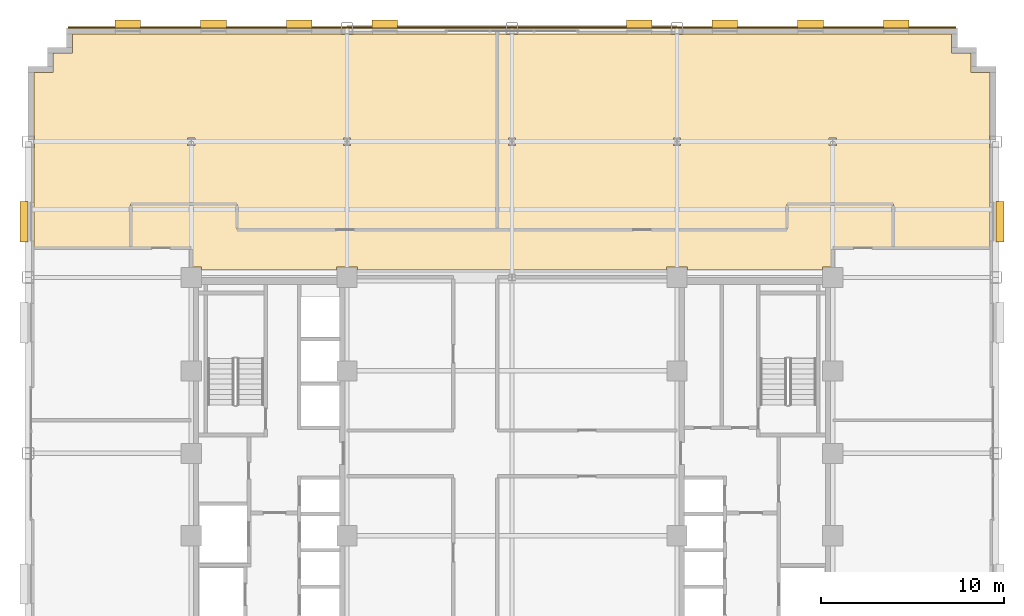
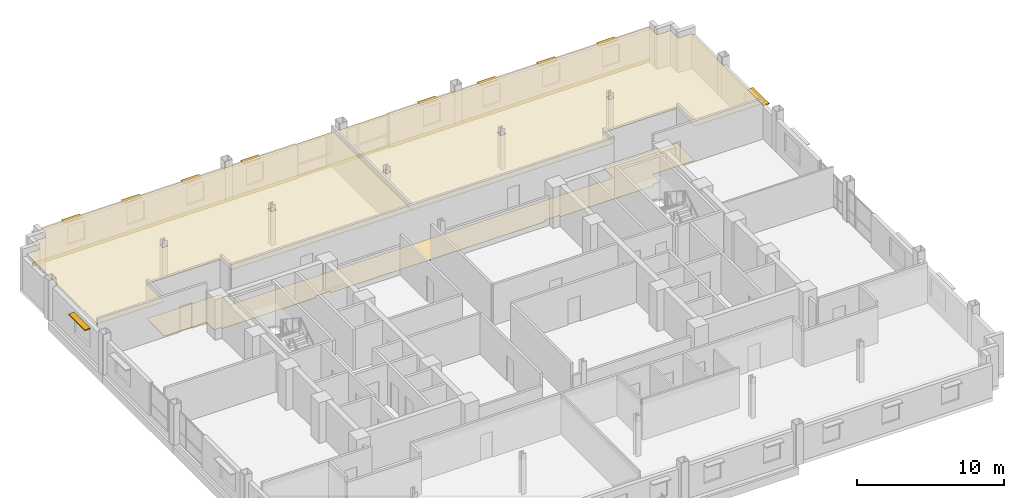
# One storey, part 17 of 17: 10 shading devices, 4 coverings.
"""IFC4 building model written with IfcOpenShell, lengths in metres."""

from ifc_helpers import new_model, si_unit, direction, frame, origin, origin_2d, place, context, subcontext, project, spatial, polyline, rectangle, outline, extrude, source, transform, mapped, material, layer, layer_set, type_object, type_shapes, element, save


model = new_model("IFC4")

# Units and contexts
model_context = context("Model", 3, precision=1e-05, world=origin(), true_north=direction((0.0, 1.0)))
body_context = subcontext(model_context, "Body", "Model", "MODEL_VIEW")
ifc_project = project(units=[si_unit("LENGTHUNIT", "METRE"), si_unit("AREAUNIT", "SQUARE_METRE"), si_unit("VOLUMEUNIT", "CUBIC_METRE"), si_unit("PLANEANGLEUNIT", "RADIAN"), si_unit("MASSUNIT", "GRAM", prefix="KILO")], contexts=[model_context])

# Site, building, storey
site_placement = place(None, origin())
site = spatial("IfcSite", under=ifc_project, at=site_placement, CompositionType="ELEMENT")
building_placement = place(site_placement, origin())
building = spatial("IfcBuilding", under=site, at=building_placement, Name="Nuvemarco Arch Tower", CompositionType="ELEMENT")
storey_placement = place(building_placement, frame((0.0, 0.0, 120.199951171875)))
storey = spatial("IfcBuildingStorey", under=building, at=storey_placement, Name="L31", CompositionType="ELEMENT", Elevation=120.199951171875)

# Coverings
ifc_material_1 = material(Name="Mineral acoustic ceiling tile")
ifc_layer_1 = layer(ifc_material_1, 0.0400390625, Name="COV-ACOUSTIC-CLG")
ifc_layer_set_1 = layer_set([ifc_layer_1], Name="Mineral acoustic ceiling tile")
covering_type_1 = type_object("IfcCoveringType", Name="COV-ACOUSTIC-CLG", PredefinedType="CEILING", material=ifc_layer_set_1)
covering_1_placement = place(storey_placement, frame((0.0, 0.0, 2.85009765625)))
element("IfcCovering", 1, at=covering_1_placement, inside=storey, type_object=covering_type_1, Name="L31 suspended acoustic ceiling 1", PredefinedType="CEILING", context=body_context, shape_type="SweptSolid", body=[
    extrude(outline(polyline([(26.080078125, 20.780029296875), (26.080078125, 17.340087890625), (26.06005859375, 17.340087890625), (26.06005859375, 16.659912109375), (26.080078125, 16.659912109375), (26.080078125, 11.199951171875), (20.800048828125, 11.199951171875), (20.800048828125, 13.60009765625), (15.0, 13.60009765625), (15.0, 12.199951171875), (-0.800048828125, 12.199951171875), (-0.800048828125, 22.8798828125), (-0.340087890625, 22.8798828125), (-0.340087890625, 22.860107421875), (0.340087890625, 22.860107421875), (0.340087890625, 22.8798828125), (8.659912109375, 22.8798828125), (8.659912109375, 22.860107421875), (9.340087890625, 22.860107421875), (9.340087890625, 22.8798828125), (23.97998046875, 22.8798828125), (23.97998046875, 21.830078125), (25.030029296875, 21.830078125), (25.030029296875, 20.780029296875), (26.080078125, 20.780029296875)]), holes=[polyline([(0.195068359375, 16.804931640625), (0.195068359375, 17.195068359375), (-0.195068359375, 17.195068359375), (-0.195068359375, 16.804931640625), (0.195068359375, 16.804931640625)]), polyline([(9.195068359375, 17.195068359375), (8.804931640625, 17.195068359375), (8.804931640625, 16.804931640625), (9.195068359375, 16.804931640625), (9.195068359375, 17.195068359375)]), polyline([(17.695068359375, 16.804931640625), (17.695068359375, 17.195068359375), (17.304931640625, 17.195068359375), (17.304931640625, 16.804931640625), (17.695068359375, 16.804931640625)])]), origin(), (0.0, 0.0, 1.0), 0.0400390625),
])
covering_2_placement = place(storey_placement, frame((0.0, 0.0, 2.85009765625)))
element("IfcCovering", 2, at=covering_2_placement, inside=storey, type_object=covering_type_1, Name="L31 suspended acoustic ceiling 3", PredefinedType="CEILING", context=body_context, shape_type="SweptSolid", body=[
    extrude(outline(polyline([(-20.800048828125, 11.199951171875), (-26.080078125, 11.199951171875), (-26.080078125, 16.659912109375), (-26.06005859375, 16.659912109375), (-26.06005859375, 17.340087890625), (-26.080078125, 17.340087890625), (-26.080078125, 20.780029296875), (-25.030029296875, 20.780029296875), (-25.030029296875, 21.830078125), (-23.97998046875, 21.830078125), (-23.97998046875, 22.8798828125), (-9.340087890625, 22.8798828125), (-9.340087890625, 22.860107421875), (-8.659912109375, 22.860107421875), (-8.659912109375, 22.8798828125), (-0.800048828125, 22.8798828125), (-0.800048828125, 12.199951171875), (-3.199951171875, 12.199951171875), (-15.0, 12.199951171875), (-15.0, 13.60009765625), (-20.800048828125, 13.60009765625), (-20.800048828125, 11.199951171875)]), holes=[polyline([(-17.304931640625, 16.804931640625), (-17.304931640625, 17.195068359375), (-17.695068359375, 17.195068359375), (-17.695068359375, 16.804931640625), (-17.304931640625, 16.804931640625)]), polyline([(-8.804931640625, 16.804931640625), (-8.804931640625, 17.195068359375), (-9.195068359375, 17.195068359375), (-9.195068359375, 16.804931640625), (-8.804931640625, 16.804931640625)])]), origin(), (0.0, 0.0, 1.0), 0.0400390625),
])
ifc_material_2 = material(Name="Polished granite terrazzostone flooring", Category="masonry")
ifc_layer_2 = layer(ifc_material_2, 0.02001953125, Name="COV-LOBBY-FLR")
ifc_layer_set_2 = layer_set([ifc_layer_2], Name="Polished granite terrazzostone flooring")
covering_type_2 = type_object("IfcCoveringType", Name="COV-LOBBY-FLR", PredefinedType="FLOORING", material=ifc_layer_set_2)
covering_3_placement = place(storey_placement, origin())
element("IfcCovering", 3, at=covering_3_placement, inside=storey, type_object=covering_type_2, Name="L31 polished terrazzo lobby flooring", PredefinedType="FLOORING", context=body_context, shape_type="SweptSolid", body=[
    extrude(outline(polyline([(-8.43505859375, 10.1650390625), (-9.56494140625, 10.1650390625), (-9.56494140625, 10.0), (-16.93505859375, 10.0), (-16.93505859375, 10.1650390625), (-17.5, 10.1650390625), (-17.5, 11.199951171875), (-20.800048828125, 11.199951171875), (-20.800048828125, 13.60009765625), (-15.0, 13.60009765625), (-15.0, 12.199951171875), (-3.199951171875, 12.199951171875), (-0.800048828125, 12.199951171875), (15.0, 12.199951171875), (15.0, 13.60009765625), (20.800048828125, 13.60009765625), (20.800048828125, 11.199951171875), (17.5, 11.199951171875), (17.5, 10.1650390625), (16.93505859375, 10.1650390625), (16.93505859375, 10.0), (9.56494140625, 10.0), (9.56494140625, 10.1650390625), (8.43505859375, 10.1650390625), (8.43505859375, 10.0), (-8.43505859375, 10.0), (-8.43505859375, 10.1650390625)])), origin(), (0.0, 0.0, 1.0), 0.02001953125),
])

# Shading devices
ifc_material_3 = material(Name="Anodised aluminium 6063-T6", Category="aluminium")
shading_device_type_1 = type_object("IfcShadingDeviceType", Name="SHD-BRISE-SOLEIL", PredefinedType="USERDEFINED", material=ifc_material_3)
shared_shape_1 = source(origin(), body_context, "Body", "SweptSolid", [
    extrude(rectangle(XDim=2.199951171875, YDim=0.449951171875, at=origin_2d()), origin(), (0.0, 0.0, 1.0), 0.080078125),
])
type_shapes(shading_device_type_1, [shared_shape_1])
for number, where, z_axis, x_axis, name in (
    (4, (26.614990234375, 12.64208984375, 2.364990234375), (0.0, 0.0, 1.0), (0.0, 1.0, 0.0), "L31 horizontal brise-soleil sunshade"),
    (5, (-26.614990234375, 12.64208984375, 2.364990234375), (0.0, 0.0, 1.0), (0.0, 1.0, 0.0), "L31 horizontal brise-soleil sunshade"),
):
    element("IfcShadingDevice", number, at=place(storey_placement, frame(where, z_axis=z_axis, x_axis=x_axis)), inside=storey, type_object=shading_device_type_1, Name=name, ObjectType="SUNSHADE", PredefinedType="USERDEFINED", context=body_context, shape_type="MappedRepresentation", body=[
        mapped(shared_shape_1, transform((0.0, 0.0, 0.0), scale=1.0)),
    ])
shading_device_type_2 = type_object("IfcShadingDeviceType", Name="SHD-BRISE-NARROW", PredefinedType="USERDEFINED", material=ifc_material_3)
shared_shape_2 = source(origin(), body_context, "Body", "SweptSolid", [
    extrude(rectangle(XDim=1.39990234375, YDim=0.449951171875, at=origin_2d()), origin(), (0.0, 0.0, 1.0), 0.080078125),
])
type_shapes(shading_device_type_2, [shared_shape_2])
for number, where, z_axis, x_axis, name in (
    (6, (-20.96240234375, 23.4150390625, 2.364990234375), (0.0, 0.0, 1.0), (1.0, 0.0, 0.0), "L31 horizontal brise-soleil sunshade"),
    (7, (-16.28759765625, 23.4150390625, 2.364990234375), (0.0, 0.0, 1.0), (1.0, 0.0, 0.0), "L31 horizontal brise-soleil sunshade"),
    (8, (-11.612548828125, 23.4150390625, 2.364990234375), (0.0, 0.0, 1.0), (1.0, 0.0, 0.0), "L31 horizontal brise-soleil sunshade"),
    (9, (-6.9375, 23.4150390625, 2.364990234375), (0.0, 0.0, 1.0), (1.0, 0.0, 0.0), "L31 horizontal brise-soleil sunshade"),
    (10, (6.9375, 23.4150390625, 2.364990234375), (0.0, 0.0, 1.0), (1.0, 0.0, 0.0), "L31 horizontal brise-soleil sunshade"),
    (11, (11.612548828125, 23.4150390625, 2.364990234375), (0.0, 0.0, 1.0), (1.0, 0.0, 0.0), "L31 horizontal brise-soleil sunshade"),
    (12, (16.28759765625, 23.4150390625, 2.364990234375), (0.0, 0.0, 1.0), (1.0, 0.0, 0.0), "L31 horizontal brise-soleil sunshade"),
    (13, (20.96240234375, 23.4150390625, 2.364990234375), (0.0, 0.0, 1.0), (1.0, 0.0, 0.0), "L31 horizontal brise-soleil sunshade"),
):
    element("IfcShadingDevice", number, at=place(storey_placement, frame(where, z_axis=z_axis, x_axis=x_axis)), inside=storey, type_object=shading_device_type_2, Name=name, ObjectType="SUNSHADE", PredefinedType="USERDEFINED", context=body_context, shape_type="MappedRepresentation", body=[
        mapped(shared_shape_2, transform((0.0, 0.0, 0.0), scale=1.0)),
    ])

# Covering
ifc_material_4 = material(Name="Precast concrete C45/55", Category="concrete")
ifc_layer_3 = layer(ifc_material_4, 0.06005859375, Name="COV-SPANDREL-CLAD")
ifc_layer_set_3 = layer_set([ifc_layer_3], Name="Precast concrete C45/55")
covering_type_3 = type_object("IfcCoveringType", Name="COV-SPANDREL-CLAD", PredefinedType="CLADDING", material=ifc_layer_set_3)
shared_shape_3 = source(origin(), body_context, "Body", "SweptSolid", [
    extrude(rectangle(XDim=48.39990234375, YDim=0.06005859375, at=origin_2d()), origin(), (0.0, 0.0, 1.0), 0.280029296875),
])
type_shapes(covering_type_3, [shared_shape_3])
covering_4_placement = place(storey_placement, frame((0.0, 23.22900390625, -0.27978515625), z_axis=(0.0, 0.0, 1.0), x_axis=(1.0, 0.0, 0.0)))
element("IfcCovering", 14, at=covering_4_placement, inside=storey, type_object=covering_type_3, Name="L31 precast spandrel edge cladding north", PredefinedType="CLADDING", context=body_context, shape_type="MappedRepresentation", body=[
    mapped(shared_shape_3, transform((0.0, 0.0, 0.0), scale=1.0)),
])

save(model, "model.ifc")
